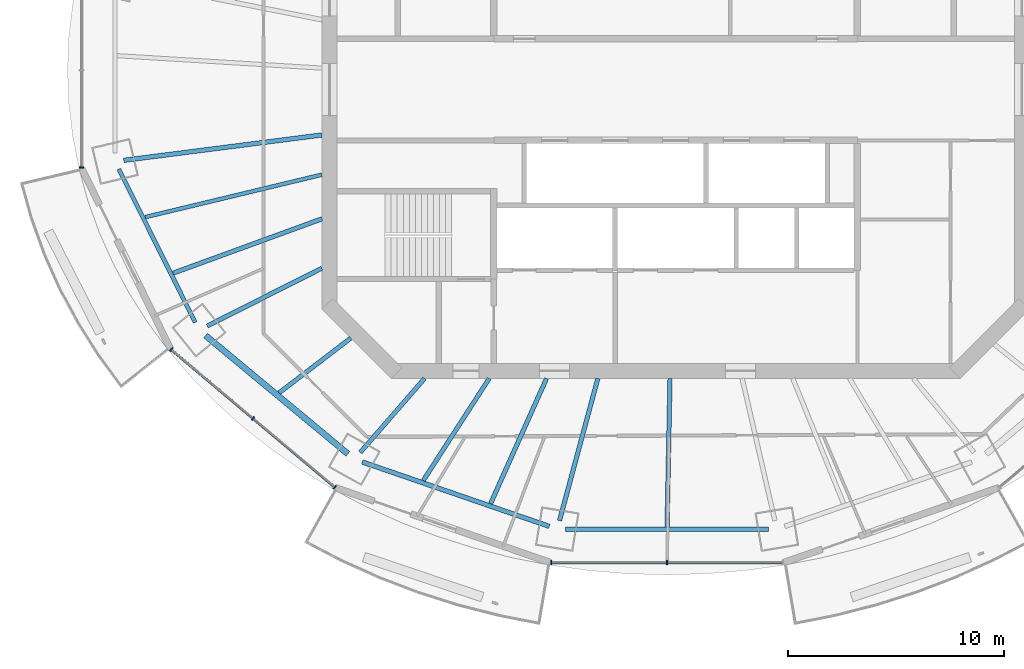
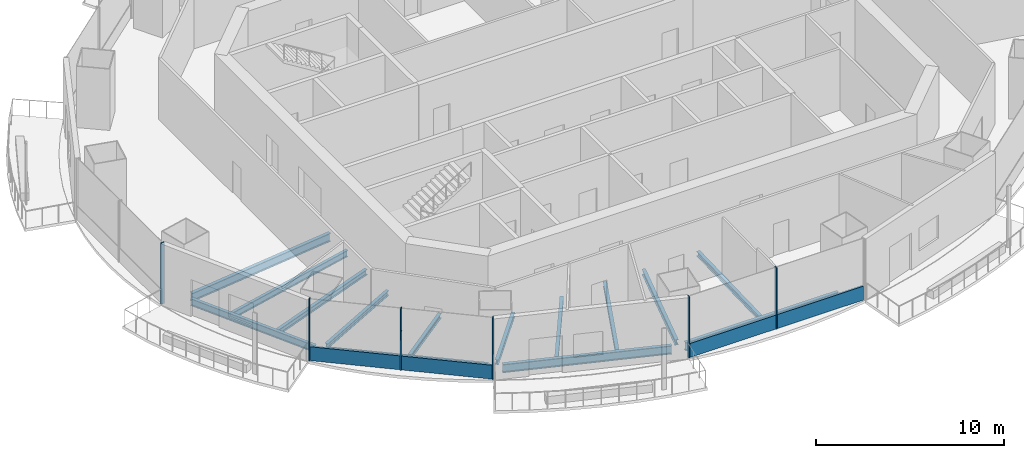
# One storey, part 2 of 16: 14 beams, 8 members, 3 elements without a shape of their own.
"""IFC4 building model written with IfcOpenShell, lengths in metres."""

from ifc_helpers import new_model, si_unit, direction, frame, origin, origin_2d, place, context, subcontext, project, spatial, rectangle, i_section, extrude, material, material_profile, profile_set, type_object, element, aggregate, save


model = new_model("IFC4")

# Units and contexts
model_context = context("Model", 3, precision=1e-05, world=origin(), true_north=direction((0.0, 1.0)))
body_context = subcontext(model_context, "Body", "Model", "MODEL_VIEW")
ifc_project = project(units=[si_unit("LENGTHUNIT", "METRE"), si_unit("AREAUNIT", "SQUARE_METRE"), si_unit("VOLUMEUNIT", "CUBIC_METRE"), si_unit("PLANEANGLEUNIT", "RADIAN"), si_unit("MASSUNIT", "GRAM", prefix="KILO")], contexts=[model_context])

# Site, building, storey
site_placement = place(None, origin())
site = spatial("IfcSite", under=ifc_project, at=site_placement, CompositionType="ELEMENT")
building_placement = place(site_placement, origin())
building = spatial("IfcBuilding", under=site, at=building_placement, Name="Marenthal Gate Tower", CompositionType="ELEMENT")
storey_placement = place(building_placement, frame((0.0, 0.0, 330.14990234375)))
storey = spatial("IfcBuildingStorey", under=building, at=storey_placement, Name="L74", CompositionType="ELEMENT", Elevation=330.14990234375)

# Curtain wall, member
ifc_material_1 = material(Name="Aluminium and glass", Category="aluminium")
curtain_wall_type = type_object("IfcCurtainWallType", Name="Curtain wall typical high", PredefinedType="NOTDEFINED", material=ifc_material_1)
curtain_wall_1_placement = place(storey_placement, origin())
curtain_wall_1 = element("IfcCurtainWall", 1, at=curtain_wall_1_placement, inside=storey, type_object=curtain_wall_type, Name="Curtain wall L74 bay 8", PredefinedType="NOTDEFINED")
ifc_material_2 = material(Name="Aluminium", Category="aluminium")
ifc_material_profile_1 = material_profile(ifc_material_2, rectangle(XDim=0.199951171875, YDim=0.06005859375, at=origin_2d()), Name="60x200 aluminium mullion")
ifc_profile_set_1 = profile_set([ifc_material_profile_1], Name="Aluminium")
member_type_1 = type_object("IfcMemberType", Name="Mullion 60x200 typical high", PredefinedType="MULLION", material=ifc_profile_set_1)
member_1_placement = place(storey_placement, frame((-27.4619140625, -3.597412109375, 0.0), z_axis=(0.0, 0.0, 1.0), x_axis=(1.0, 0.0, 0.0)))
member_1 = element("IfcMember", 2, at=member_1_placement, type_object=member_type_1, Name="Mullion L74 bay 8.3", PredefinedType="MULLION", context=body_context, shape_type="SweptSolid", body=[
    extrude(rectangle(XDim=0.199951171875, YDim=0.06005859375, at=origin_2d()), origin(), (0.0, 0.0, 1.0), 3.97021484375),
])
aggregate(curtain_wall_1, [member_1])

# Curtain wall, members
curtain_wall_2_placement = place(storey_placement, origin())
curtain_wall_2 = element("IfcCurtainWall", 3, at=curtain_wall_2_placement, inside=storey, type_object=curtain_wall_type, Name="Curtain wall L74 bay 10", PredefinedType="NOTDEFINED")
member_2_placement = place(storey_placement, frame((-23.31884765625, -12.012451171875, 0.0), z_axis=(0.0, 0.0, 1.0), x_axis=(0.643676220215, 0.76529793122, 0.0)))
member_2 = element("IfcMember", 4, at=member_2_placement, type_object=member_type_1, Name="Mullion L74 bay 10.1", PredefinedType="MULLION", context=body_context, shape_type="SweptSolid", body=[
    extrude(rectangle(XDim=0.199951171875, YDim=0.06005859375, at=origin_2d()), origin(), (0.0, 0.0, 1.0), 3.97021484375),
])
member_3_placement = place(storey_placement, frame((-19.53564453125, -15.194580078125, 0.0), z_axis=(0.0, 0.0, 1.0), x_axis=(0.643676220215, 0.76529793122, 0.0)))
member_3 = element("IfcMember", 5, at=member_3_placement, type_object=member_type_1, Name="Mullion L74 bay 10.2", PredefinedType="MULLION", context=body_context, shape_type="SweptSolid", body=[
    extrude(rectangle(XDim=0.199951171875, YDim=0.06005859375, at=origin_2d()), origin(), (0.0, 0.0, 1.0), 3.97021484375),
])
member_4_placement = place(storey_placement, frame((-15.752197265625, -18.37646484375, 0.0), z_axis=(0.0, 0.0, 1.0), x_axis=(0.643676220215, 0.76529793122, 0.0)))
member_4 = element("IfcMember", 6, at=member_4_placement, type_object=member_type_1, Name="Mullion L74 bay 10.3", PredefinedType="MULLION", context=body_context, shape_type="SweptSolid", body=[
    extrude(rectangle(XDim=0.199951171875, YDim=0.06005859375, at=origin_2d()), origin(), (0.0, 0.0, 1.0), 3.97021484375),
])

curtain_wall_3_placement = place(storey_placement, origin())
curtain_wall_3 = element("IfcCurtainWall", 7, at=curtain_wall_3_placement, inside=storey, type_object=curtain_wall_type, Name="Curtain wall L74 bay 12", PredefinedType="NOTDEFINED")
member_5_placement = place(storey_placement, frame((-5.7529296875, -21.861083984375, 0.0), z_axis=(0.0, 0.0, 1.0), x_axis=(0.0, 1.0, 0.0)))
member_5 = element("IfcMember", 8, at=member_5_placement, type_object=member_type_1, Name="Mullion L74 bay 12.1", PredefinedType="MULLION", context=body_context, shape_type="SweptSolid", body=[
    extrude(rectangle(XDim=0.199951171875, YDim=0.06005859375, at=origin_2d()), origin(), (0.0, 0.0, 1.0), 3.97021484375),
])
member_6_placement = place(storey_placement, frame((-0.39990234375, -21.861083984375, 0.0), z_axis=(0.0, 0.0, 1.0), x_axis=(0.0, 1.0, 0.0)))
member_6 = element("IfcMember", 9, at=member_6_placement, type_object=member_type_1, Name="Mullion L74 bay 12.2", PredefinedType="MULLION", context=body_context, shape_type="SweptSolid", body=[
    extrude(rectangle(XDim=0.199951171875, YDim=0.06005859375, at=origin_2d()), origin(), (0.0, 0.0, 1.0), 3.97021484375),
])

# Member
ifc_material_3 = material(Name="Aluminium", Category="aluminium")
ifc_material_profile_2 = material_profile(ifc_material_3, rectangle(XDim=0.1201171875, YDim=0.89990234375, at=origin_2d()), Name="120x900 aluminium transom")
ifc_profile_set_2 = profile_set([ifc_material_profile_2], Name="Aluminium")
member_type_2 = type_object("IfcMemberType", Name="Transom 120x900 typical high", PredefinedType="USERDEFINED", material=ifc_profile_set_2)
member_7_placement = place(storey_placement, frame((-23.2958984375, -12.03173828125, 0.4501953125), z_axis=(0.765303397989, -0.643669720451, 0.0), x_axis=(0.643669720451, 0.765303397989, 0.0)))
member_7 = element("IfcMember", 10, at=member_7_placement, type_object=member_type_2, Name="Transom L74 bay 10", ObjectType="TRANSOM", PredefinedType="USERDEFINED", context=body_context, shape_type="SweptSolid", body=[
    extrude(rectangle(XDim=0.1201171875, YDim=0.89990234375, at=origin_2d()), origin(), (0.0, 0.0, 1.0), 9.8271484375),
])

aggregate(curtain_wall_2, [member_2, member_3, member_4, member_7])

member_8_placement = place(storey_placement, frame((-5.722900390625, -21.861083984375, 0.4501953125), z_axis=(1.0, 0.0, 0.0), x_axis=(0.0, 1.0, 0.0)))
member_8 = element("IfcMember", 11, at=member_8_placement, type_object=member_type_2, Name="Transom L74 bay 12", ObjectType="TRANSOM", PredefinedType="USERDEFINED", context=body_context, shape_type="SweptSolid", body=[
    extrude(rectangle(XDim=0.1201171875, YDim=0.89990234375, at=origin_2d()), origin(), (0.0, 0.0, 1.0), 10.645751953125),
])

aggregate(curtain_wall_3, [member_5, member_6, member_8])

# Beams
ifc_material_4 = material(Name="Steel S355", Category="steel")
ifc_material_profile_3 = material_profile(ifc_material_4, i_section(OverallWidth=0.202880859375, OverallDepth=0.302001953125, WebThickness=0.007568359375, FlangeThickness=0.01318359375, FilletRadius=0.0126953125, at=origin_2d()), Name="W310X60")
ifc_profile_set_3 = profile_set([ifc_material_profile_3], Name="Steel S355")
beam_type_1 = type_object("IfcBeamType", Name="W310X60 beam", PredefinedType="BEAM", material=ifc_profile_set_3)
beam_1_placement = place(storey_placement, frame((-18.326171875, -14.01171875, -0.330810546875), z_axis=(0.794406043308, 0.607387058107, 0.0), x_axis=(-0.607387058107, 0.794406043308, 0.0)))
element("IfcBeam", 12, at=beam_1_placement, inside=storey, type_object=beam_type_1, Name="BM-L74-31", PredefinedType="BEAM", context=body_context, shape_type="SweptSolid", body=[
    extrude(i_section(OverallWidth=0.202880859375, OverallDepth=0.302001953125, WebThickness=0.007568359375, FlangeThickness=0.01318359375, FilletRadius=0.0126953125, at=origin_2d()), origin(), (0.0, 0.0, 1.0), 4.168212890625),
])
beam_2_placement = place(storey_placement, frame((-11.666748046875, -18.06689453125, -0.330810546875), z_axis=(0.54247940517, 0.840069101305, 0.0), x_axis=(-0.840069101305, 0.54247940517, 0.0)))
element("IfcBeam", 13, at=beam_2_placement, inside=storey, type_object=beam_type_1, Name="BM-L74-32", PredefinedType="BEAM", context=body_context, shape_type="SweptSolid", body=[
    extrude(i_section(OverallWidth=0.202880859375, OverallDepth=0.302001953125, WebThickness=0.007568359375, FlangeThickness=0.01318359375, FilletRadius=0.0126953125, at=origin_2d()), origin(), (0.0, 0.0, 1.0), 5.61474609375),
])
ifc_material_5 = material(Name="Steel S355", Category="steel")
ifc_material_profile_4 = material_profile(ifc_material_5, i_section(OverallWidth=0.205078125, OverallDepth=0.31005859375, WebThickness=0.009521484375, FlangeThickness=0.016357421875, FilletRadius=0.0126953125, at=origin_2d()), Name="W310X74")
ifc_profile_set_4 = profile_set([ifc_material_profile_4], Name="Steel S355")
beam_type_2 = type_object("IfcBeamType", Name="W310X74 beam", PredefinedType="BEAM", material=ifc_profile_set_4)
beam_3_placement = place(storey_placement, frame((-21.653076171875, -10.926025390625, -0.3349609375), z_axis=(0.892768800331, 0.450515115346, 0.0), x_axis=(-0.450515115346, 0.892768800331, 0.0)))
element("IfcBeam", 14, at=beam_3_placement, inside=storey, type_object=beam_type_2, Name="BM-L74-10", PredefinedType="BEAM", context=body_context, shape_type="SweptSolid", body=[
    extrude(i_section(OverallWidth=0.205078125, OverallDepth=0.31005859375, WebThickness=0.009521484375, FlangeThickness=0.016357421875, FilletRadius=0.0126953125, at=origin_2d()), origin(), (0.0, 0.0, 1.0), 5.93994140625),
])
beam_4_placement = place(storey_placement, frame((-14.575927734375, -16.765380859375, -0.3349609375), z_axis=(0.656106588679, 0.754668234585, 0.0), x_axis=(-0.754668234585, 0.656106588679, 0.0)))
element("IfcBeam", 15, at=beam_4_placement, inside=storey, type_object=beam_type_2, Name="BM-L74-11", PredefinedType="BEAM", context=body_context, shape_type="SweptSolid", body=[
    extrude(i_section(OverallWidth=0.205078125, OverallDepth=0.31005859375, WebThickness=0.009521484375, FlangeThickness=0.016357421875, FilletRadius=0.0126953125, at=origin_2d()), origin(), (0.0, 0.0, 1.0), 4.525634765625),
])
beam_5_placement = place(storey_placement, frame((-8.556884765625, -19.1376953125, -0.3349609375), z_axis=(0.408195484467, 0.912894542902, 0.0), x_axis=(-0.912894542902, 0.408195484467, 0.0)))
element("IfcBeam", 16, at=beam_5_placement, inside=storey, type_object=beam_type_2, Name="BM-L74-33", PredefinedType="BEAM", context=body_context, shape_type="SweptSolid", body=[
    extrude(i_section(OverallWidth=0.205078125, OverallDepth=0.31005859375, WebThickness=0.009521484375, FlangeThickness=0.016357421875, FilletRadius=0.0126953125, at=origin_2d()), origin(), (0.0, 0.0, 1.0), 6.33984375),
])
beam_6_placement = place(storey_placement, frame((-0.39794921875, -20.205322265625, -0.3349609375), z_axis=(0.019690615226, 0.999806121041, 0.0), x_axis=(-0.999806121041, 0.019690615226, 0.0)))
element("IfcBeam", 17, at=beam_6_placement, inside=storey, type_object=beam_type_2, Name="BM-L74-34", PredefinedType="BEAM", context=body_context, shape_type="SweptSolid", body=[
    extrude(i_section(OverallWidth=0.205078125, OverallDepth=0.31005859375, WebThickness=0.009521484375, FlangeThickness=0.016357421875, FilletRadius=0.0126953125, at=origin_2d()), origin(), (0.0, 0.0, 1.0), 6.8564453125),
])
ifc_material_6 = material(Name="Steel S355", Category="steel")
ifc_material_profile_5 = material_profile(ifc_material_6, i_section(OverallWidth=0.205078125, OverallDepth=0.35302734375, WebThickness=0.009521484375, FlangeThickness=0.016845703125, FilletRadius=0.014892578125, at=origin_2d()), Name="W360X79")
ifc_profile_set_5 = profile_set([ifc_material_profile_5], Name="Steel S355")
beam_type_3 = type_object("IfcBeamType", Name="W360X79 beam", PredefinedType="BEAM", material=ifc_profile_set_5)
beam_7_placement = place(storey_placement, frame((-5.369384765625, -19.9208984375, -0.3564453125), z_axis=(0.260238494578, 0.96554436767, 0.0), x_axis=(-0.96554436767, 0.260238494578, 0.0)))
element("IfcBeam", 18, at=beam_7_placement, inside=storey, type_object=beam_type_3, Name="BM-L74-12", PredefinedType="BEAM", context=body_context, shape_type="SweptSolid", body=[
    extrude(i_section(OverallWidth=0.205078125, OverallDepth=0.35302734375, WebThickness=0.009521484375, FlangeThickness=0.016845703125, FilletRadius=0.014892578125, at=origin_2d()), origin(), (0.0, 0.0, 1.0), 6.80517578125),
])
beam_8_placement = place(storey_placement, frame((-23.232666015625, -8.483642578125, -0.3564453125), z_axis=(0.939335338873, 0.343000176594, 0.0), x_axis=(-0.343000176594, 0.939335338873, 0.0)))
element("IfcBeam", 19, at=beam_8_placement, inside=storey, type_object=beam_type_3, Name="BM-L74-30", PredefinedType="BEAM", context=body_context, shape_type="SweptSolid", body=[
    extrude(i_section(OverallWidth=0.205078125, OverallDepth=0.35302734375, WebThickness=0.009521484375, FlangeThickness=0.016845703125, FilletRadius=0.014892578125, at=origin_2d()), origin(), (0.0, 0.0, 1.0), 7.3271484375),
])
ifc_material_7 = material(Name="Steel S355", Category="steel")
ifc_material_profile_6 = material_profile(ifc_material_7, i_section(OverallWidth=0.180908203125, OverallDepth=0.4169921875, WebThickness=0.010986328125, FlangeThickness=0.018310546875, FilletRadius=0.01025390625, at=origin_2d()), Name="W410X85")
ifc_profile_set_6 = profile_set([ifc_material_profile_6], Name="Steel S355")
beam_type_4 = type_object("IfcBeamType", Name="W410X85 beam", PredefinedType="BEAM", material=ifc_profile_set_6)
beam_9_placement = place(storey_placement, frame((-24.522216796875, -5.89501953125, -0.388427734375), z_axis=(0.972298375937, 0.233743167065, 0.0), x_axis=(-0.233743167065, 0.972298375937, 0.0)))
element("IfcBeam", 20, at=beam_9_placement, inside=storey, type_object=beam_type_4, Name="BM-L74-29", PredefinedType="BEAM", context=body_context, shape_type="SweptSolid", body=[
    extrude(i_section(OverallWidth=0.180908203125, OverallDepth=0.4169921875, WebThickness=0.010986328125, FlangeThickness=0.018310546875, FilletRadius=0.01025390625, at=origin_2d()), origin(), (0.0, 0.0, 1.0), 8.405029296875),
])
ifc_material_8 = material(Name="Steel S355", Category="steel")
ifc_material_profile_7 = material_profile(ifc_material_8, i_section(OverallWidth=0.279052734375, OverallDepth=0.4619140625, WebThickness=0.0107421875, FlangeThickness=0.017333984375, FilletRadius=0.010009765625, at=origin_2d()), Name="W460X113")
ifc_profile_set_7 = profile_set([ifc_material_profile_7], Name="Steel S355")
beam_type_5 = type_object("IfcBeamType", Name="W460X113 beam", PredefinedType="BEAM", material=ifc_profile_set_7)
beam_10_placement = place(storey_placement, frame((-21.726318359375, -11.366455078125, -0.410888671875), z_axis=(0.768960363439, -0.63929645663, 0.0), x_axis=(0.63929645663, 0.768960363439, 0.0)))
element("IfcBeam", 21, at=beam_10_placement, inside=storey, type_object=beam_type_5, Name="BM-L74-50", PredefinedType="BEAM", context=body_context, shape_type="SweptSolid", body=[
    extrude(i_section(OverallWidth=0.279052734375, OverallDepth=0.4619140625, WebThickness=0.0107421875, FlangeThickness=0.017333984375, FilletRadius=0.010009765625, at=origin_2d()), origin(), (0.0, 0.0, 1.0), 8.550048828125),
])
ifc_material_9 = material(Name="Steel S355", Category="steel")
ifc_material_profile_8 = material_profile(ifc_material_9, i_section(OverallWidth=0.19091796875, OverallDepth=0.45703125, WebThickness=0.009033203125, FlangeThickness=0.014404296875, FilletRadius=0.01025390625, at=origin_2d()), Name="W460X74")
ifc_profile_set_8 = profile_set([ifc_material_profile_8], Name="Steel S355")
beam_type_6 = type_object("IfcBeamType", Name="W460X74 beam", PredefinedType="BEAM", material=ifc_profile_set_8)
beam_11_placement = place(storey_placement, frame((-25.734619140625, -3.675537109375, -0.408447265625), z_axis=(0.445917839927, -0.89507389641, 0.0), x_axis=(0.89507389641, 0.445917839927, 0.0)))
element("IfcBeam", 22, at=beam_11_placement, inside=storey, type_object=beam_type_6, Name="BM-L74-49", PredefinedType="BEAM", context=body_context, shape_type="SweptSolid", body=[
    extrude(i_section(OverallWidth=0.19091796875, OverallDepth=0.45703125, WebThickness=0.009033203125, FlangeThickness=0.014404296875, FilletRadius=0.01025390625, at=origin_2d()), origin(), (0.0, 0.0, 1.0), 7.916259765625),
])
ifc_material_10 = material(Name="Steel S355", Category="steel")
ifc_material_profile_9 = material_profile(ifc_material_10, i_section(OverallWidth=0.2099609375, OverallDepth=0.535888671875, WebThickness=0.010986328125, FlangeThickness=0.017333984375, FilletRadius=0.0126953125, at=origin_2d()), Name="W530X101")
ifc_profile_set_9 = profile_set([ifc_material_profile_9], Name="Steel S355")
beam_type_7 = type_object("IfcBeamType", Name="W530X101 beam", PredefinedType="BEAM", material=ifc_profile_set_9)
beam_12_placement = place(storey_placement, frame((-25.51025390625, -3.267578125, -0.447998046875), z_axis=(0.991895851431, 0.127053610394, 0.0), x_axis=(-0.127053610394, 0.991895851431, 0.0)))
element("IfcBeam", 23, at=beam_12_placement, inside=storey, type_object=beam_type_7, Name="BM-L74-09", PredefinedType="BEAM", context=body_context, shape_type="SweptSolid", body=[
    extrude(i_section(OverallWidth=0.2099609375, OverallDepth=0.535888671875, WebThickness=0.010986328125, FlangeThickness=0.017333984375, FilletRadius=0.0126953125, at=origin_2d()), origin(), (0.0, 0.0, 1.0), 9.235107421875),
])
ifc_material_11 = material(Name="Steel S355", Category="steel")
ifc_material_profile_10 = material_profile(ifc_material_11, i_section(OverallWidth=0.2119140625, OverallDepth=0.5439453125, WebThickness=0.01318359375, FlangeThickness=0.021240234375, FilletRadius=0.0126953125, at=origin_2d()), Name="W530X123")
ifc_profile_set_10 = profile_set([ifc_material_profile_10], Name="Steel S355")
beam_type_8 = type_object("IfcBeamType", Name="W530X123 beam", PredefinedType="BEAM", material=ifc_profile_set_10)
beam_13_placement = place(storey_placement, frame((-14.48388671875, -17.208740234375, -0.451904296875), z_axis=(0.945498363712, -0.325626848122, 0.0), x_axis=(0.325626848122, 0.945498363712, 0.0)))
element("IfcBeam", 24, at=beam_13_placement, inside=storey, type_object=beam_type_8, Name="BM-L74-51", PredefinedType="BEAM", context=body_context, shape_type="SweptSolid", body=[
    extrude(i_section(OverallWidth=0.2119140625, OverallDepth=0.5439453125, WebThickness=0.01318359375, FlangeThickness=0.021240234375, FilletRadius=0.0126953125, at=origin_2d()), origin(), (0.0, 0.0, 1.0), 9.14111328125),
])
beam_14_placement = place(storey_placement, frame((-5.087890625, -20.311279296875, -0.451904296875), z_axis=(1.0, 0.0, 0.0), x_axis=(0.0, 1.0, 0.0)))
element("IfcBeam", 25, at=beam_14_placement, inside=storey, type_object=beam_type_8, Name="BM-L74-52", PredefinedType="BEAM", context=body_context, shape_type="SweptSolid", body=[
    extrude(i_section(OverallWidth=0.2119140625, OverallDepth=0.5439453125, WebThickness=0.01318359375, FlangeThickness=0.021240234375, FilletRadius=0.0126953125, at=origin_2d()), origin(), (0.0, 0.0, 1.0), 9.375732421875),
])

save(model, "model.ifc")
